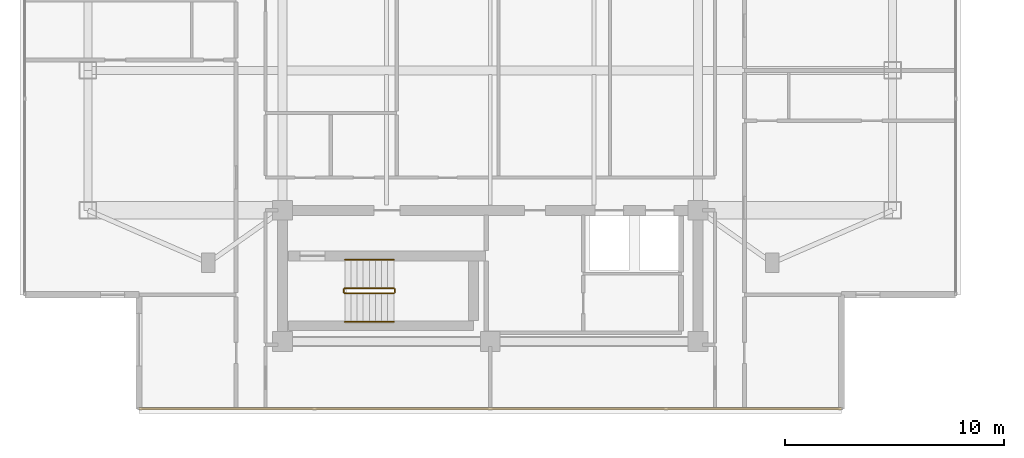
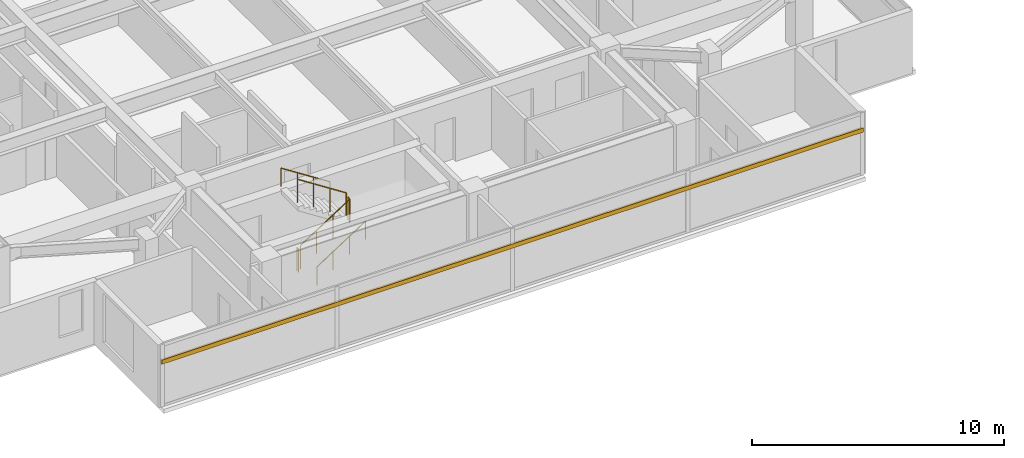
# One storey, part 17 of 21: 6 railings, 1 shading device.
"""IFC4 building model written with IfcOpenShell, lengths in metres."""

from ifc_helpers import new_model, si_unit, direction, frame, origin, origin_2d, place, context, subcontext, project, spatial, rectangle, circle, extrude, material, material_profile, profile_set, type_object, element, save


model = new_model("IFC4")

# Units and contexts
model_context = context("Model", 3, precision=1e-05, world=origin(), true_north=direction((0.0, 1.0)))
body_context = subcontext(model_context, "Body", "Model", "MODEL_VIEW")
ifc_project = project(units=[si_unit("LENGTHUNIT", "METRE"), si_unit("AREAUNIT", "SQUARE_METRE"), si_unit("VOLUMEUNIT", "CUBIC_METRE"), si_unit("PLANEANGLEUNIT", "RADIAN"), si_unit("MASSUNIT", "GRAM", prefix="KILO")], contexts=[model_context])

# Site, building, storey
site_placement = place(None, origin())
site = spatial("IfcSite", under=ifc_project, at=site_placement, CompositionType="ELEMENT")
building_placement = place(site_placement, origin())
building = spatial("IfcBuilding", under=site, at=building_placement, Name="Mirazonda Arch Towers", CompositionType="ELEMENT")
storey_placement = place(building_placement, frame((0.0, 0.0, 206.39990234375)))
storey = spatial("IfcBuildingStorey", under=building, at=storey_placement, Name="L59", CompositionType="ELEMENT", Elevation=206.39990234375)

# Shading device
ifc_material_1 = material(Name="Kiln-Fired Architectural Terracotta", Category="masonry")
ifc_material_profile = material_profile(ifc_material_1, rectangle(XDim=0.10009765625, YDim=0.199951171875, at=origin_2d()), Name="TERRA-BAG-100x200")
ifc_profile_set = profile_set([ifc_material_profile], Name="Kiln-Fired Architectural Terracotta")
shading_device_type = type_object("IfcShadingDeviceType", Name="BAGUETTE-2", PredefinedType="USERDEFINED", material=ifc_profile_set)
shading_device_placement = place(storey_placement, frame((36.574951171875, 9.323974609375, 2.181640625), z_axis=(-1.0, 0.0, 0.0), x_axis=(0.0, -1.0, 0.0)))
element("IfcShadingDevice", 1, at=shading_device_placement, inside=storey, type_object=shading_device_type, Name="L59 Glazed Terracotta Sun-Screen Baguette CW-L59-T1-S", ObjectType="BAGUETTE", PredefinedType="USERDEFINED", context=body_context, shape_type="SweptSolid", body=[
    extrude(rectangle(XDim=0.10009765625, YDim=0.199951171875, at=origin_2d()), origin(), (0.0, 0.0, 1.0), 32.14990234375),
])

# Railings
ifc_material_2 = material(Name="Architectural Brushed Steel S355", Category="steel")
railing_type_1 = type_object("IfcRailingType", Name="GUARD-STAIR-1120", PredefinedType="GUARDRAIL", material=ifc_material_2)
railing_1_placement = place(storey_placement, frame((13.85009765625, 14.60009765625, 0.1806640625)))
element("IfcRailing", 2, at=railing_1_placement, inside=storey, type_object=railing_type_1, Name="L59 ST-T1S stair guard 1", PredefinedType="GUARDRAIL", context=body_context, shape_type="SweptSolid", body=[
    extrude(circle(Radius=0.02392578125, at=origin_2d()), frame((0.0, 0.0, 1.1259765625), z_axis=(0.840436612492, 0.0, 0.541909863706), x_axis=(0.0, 1.0, 0.0)), (0.0, 0.0, 1.0), 2.665283203125),
    extrude(circle(Radius=0.02099609375, at=origin_2d()), origin(), (0.0, 0.0, 1.0), 1.101806640625),
    extrude(circle(Radius=0.02099609375, at=origin_2d()), frame((0.74658203125, 0.0, 0.4814453125)), (0.0, 0.0, 1.0), 1.101806640625),
    extrude(circle(Radius=0.02099609375, at=origin_2d()), frame((1.493408203125, 0.0, 0.962890625)), (0.0, 0.0, 1.0), 1.101806640625),
    extrude(circle(Radius=0.02099609375, at=origin_2d()), frame((2.239990234375, 0.0, 1.4443359375)), (0.0, 0.0, 1.0), 1.101806640625),
])
railing_2_placement = place(storey_placement, frame((16.139892578125, 14.64990234375, 1.625)))
element("IfcRailing", 3, at=railing_2_placement, inside=storey, type_object=railing_type_1, Name="L59 ST-T1S stair guard 2", PredefinedType="GUARDRAIL", context=body_context, shape_type="SweptSolid", body=[
    extrude(circle(Radius=0.02392578125, at=origin_2d()), frame((0.0, 0.0, 1.1259765625), z_axis=(0.0, 1.0, 0.0), x_axis=(-1.0, 0.0, 0.0)), (0.0, 0.0, 1.0), 0.14013671875),
    extrude(circle(Radius=0.02099609375, at=origin_2d()), origin(), (0.0, 0.0, 1.0), 1.101806640625),
    extrude(circle(Radius=0.02099609375, at=origin_2d()), frame((0.0, 0.14013671875, 0.0)), (0.0, 0.0, 1.0), 1.101806640625),
])
railing_3_placement = place(storey_placement, frame((16.090087890625, 14.840087890625, 1.8056640625)))
element("IfcRailing", 4, at=railing_3_placement, inside=storey, type_object=railing_type_1, Name="L59 ST-T1S stair guard 3", PredefinedType="GUARDRAIL", context=body_context, shape_type="SweptSolid", body=[
    extrude(circle(Radius=0.02392578125, at=origin_2d()), frame((0.0, 0.0, 1.1259765625), z_axis=(-0.840436612492, 0.0, 0.541909863706), x_axis=(0.0, -1.0, 0.0)), (0.0, 0.0, 1.0), 2.665283203125),
    extrude(circle(Radius=0.02099609375, at=origin_2d()), origin(), (0.0, 0.0, 1.0), 1.101806640625),
    extrude(circle(Radius=0.02099609375, at=origin_2d()), frame((-0.74658203125, 0.0, 0.4814453125)), (0.0, 0.0, 1.0), 1.101806640625),
    extrude(circle(Radius=0.02099609375, at=origin_2d()), frame((-1.493408203125, 0.0, 0.962890625)), (0.0, 0.0, 1.0), 1.101806640625),
    extrude(circle(Radius=0.02099609375, at=origin_2d()), frame((-2.239990234375, 0.0, 1.4443359375)), (0.0, 0.0, 1.0), 1.101806640625),
])
railing_4_placement = place(storey_placement, frame((13.800048828125, 14.64990234375, 0.0)))
element("IfcRailing", 5, at=railing_4_placement, inside=storey, type_object=railing_type_1, Name="L59 ST-T1S stair guard 4", PredefinedType="GUARDRAIL", context=body_context, shape_type="SweptSolid", body=[
    extrude(circle(Radius=0.02392578125, at=origin_2d()), frame((0.0, 0.0, 1.1259765625), z_axis=(0.0, 1.0, 0.0), x_axis=(-1.0, 0.0, 0.0)), (0.0, 0.0, 1.0), 0.14013671875),
    extrude(circle(Radius=0.02099609375, at=origin_2d()), origin(), (0.0, 0.0, 1.0), 1.101806640625),
    extrude(circle(Radius=0.02099609375, at=origin_2d()), frame((0.0, 0.14013671875, 0.0)), (0.0, 0.0, 1.0), 1.101806640625),
])
railing_type_2 = type_object("IfcRailingType", Name="HANDRAIL-915", PredefinedType="HANDRAIL", material=ifc_material_2)
railing_5_placement = place(storey_placement, frame((13.85009765625, 13.300048828125, 0.1806640625)))
element("IfcRailing", 6, at=railing_5_placement, inside=storey, type_object=railing_type_2, Name="L59 ST-T1S stair handrail 1", PredefinedType="HANDRAIL", context=body_context, shape_type="SweptSolid", body=[
    extrude(circle(Radius=0.02392578125, at=origin_2d()), frame((0.0, 0.0, 0.8759765625), z_axis=(0.840436612492, 0.0, 0.541909863706), x_axis=(0.0, 1.0, 0.0)), (0.0, 0.0, 1.0), 2.665283203125),
    extrude(circle(Radius=0.02099609375, at=origin_2d()), origin(), (0.0, 0.0, 1.0), 0.851806640625),
    extrude(circle(Radius=0.02099609375, at=origin_2d()), frame((0.74658203125, 0.0, 0.4814453125)), (0.0, 0.0, 1.0), 0.851806640625),
    extrude(circle(Radius=0.02099609375, at=origin_2d()), frame((1.493408203125, 0.0, 0.962890625)), (0.0, 0.0, 1.0), 0.851806640625),
    extrude(circle(Radius=0.02099609375, at=origin_2d()), frame((2.239990234375, 0.0, 1.4443359375)), (0.0, 0.0, 1.0), 0.851806640625),
])
railing_6_placement = place(storey_placement, frame((16.090087890625, 16.139892578125, 1.8056640625)))
element("IfcRailing", 7, at=railing_6_placement, inside=storey, type_object=railing_type_2, Name="L59 ST-T1S stair handrail 2", PredefinedType="HANDRAIL", context=body_context, shape_type="SweptSolid", body=[
    extrude(circle(Radius=0.02392578125, at=origin_2d()), frame((0.0, 0.0, 0.8759765625), z_axis=(-0.840436612492, 0.0, 0.541909863706), x_axis=(0.0, -1.0, 0.0)), (0.0, 0.0, 1.0), 2.665283203125),
    extrude(circle(Radius=0.02099609375, at=origin_2d()), origin(), (0.0, 0.0, 1.0), 0.851806640625),
    extrude(circle(Radius=0.02099609375, at=origin_2d()), frame((-0.74658203125, 0.0, 0.4814453125)), (0.0, 0.0, 1.0), 0.851806640625),
    extrude(circle(Radius=0.02099609375, at=origin_2d()), frame((-1.493408203125, 0.0, 0.962890625)), (0.0, 0.0, 1.0), 0.851806640625),
    extrude(circle(Radius=0.02099609375, at=origin_2d()), frame((-2.239990234375, 0.0, 1.4443359375)), (0.0, 0.0, 1.0), 0.851806640625),
])

save(model, "model.ifc")
